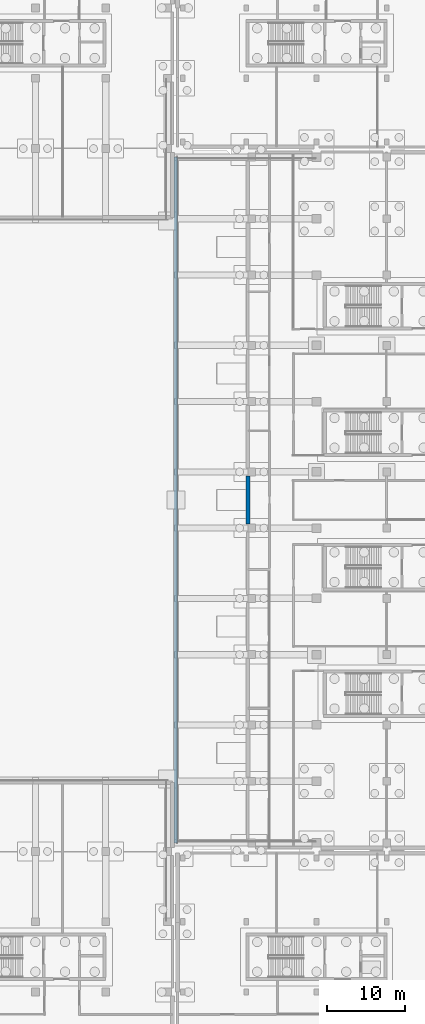
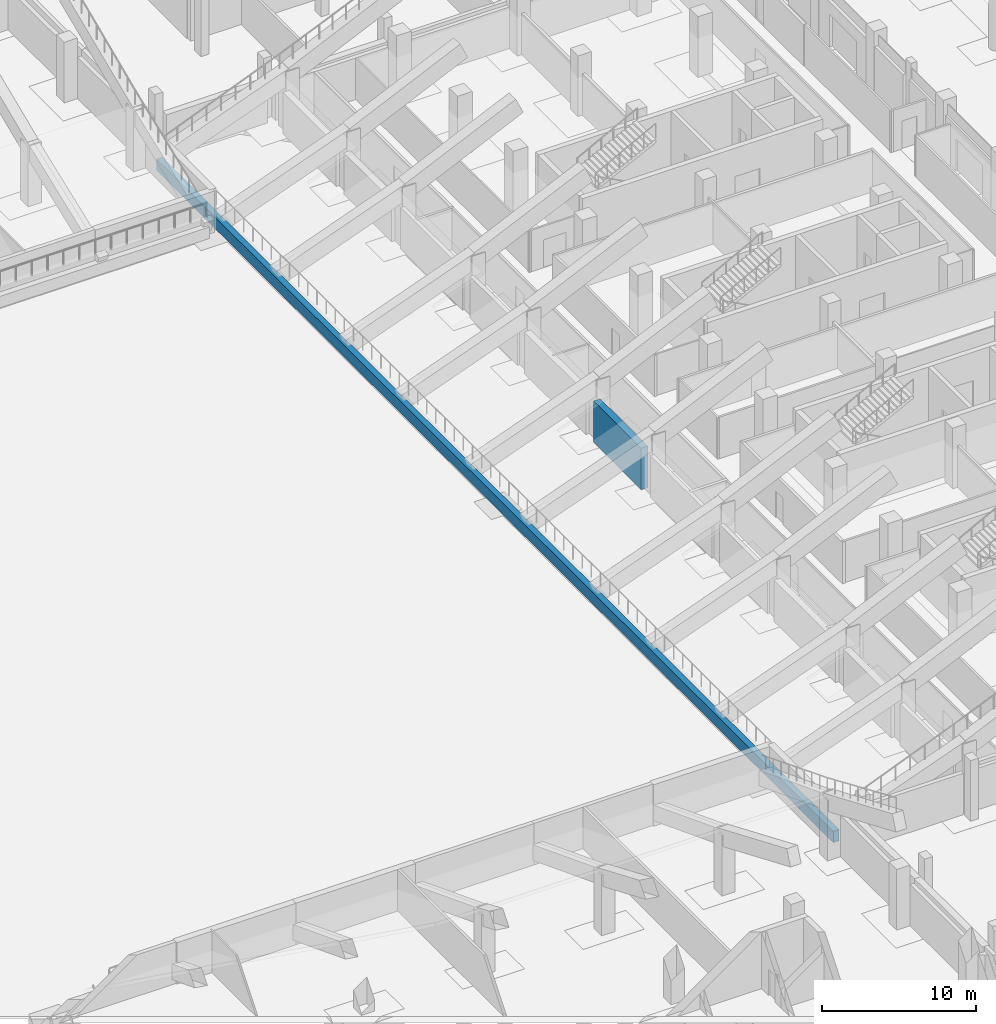
# One storey, part 28 of 53: 2 walls.
"""IFC4 building model written with IfcOpenShell, lengths in metres."""

from ifc_helpers import new_model, si_unit, direction, frame, frame_2d, origin, place, context, subcontext, project, spatial, rectangle, extrude, material, layer, layer_set, type_object, element, save


model = new_model("IFC4")

# Units and contexts
model_context = context("Model", 3, precision=1e-05, world=origin(), true_north=direction((0.0, 1.0)))
body_context = subcontext(model_context, "Body", "Model", "MODEL_VIEW")
ifc_project = project(units=[si_unit("LENGTHUNIT", "METRE"), si_unit("AREAUNIT", "SQUARE_METRE"), si_unit("VOLUMEUNIT", "CUBIC_METRE"), si_unit("PLANEANGLEUNIT", "RADIAN"), si_unit("MASSUNIT", "GRAM", prefix="KILO"), si_unit("THERMODYNAMICTEMPERATUREUNIT", "KELVIN"), si_unit("POWERUNIT", "WATT")], contexts=[model_context])

# Site, building, storey
site_placement = place(None, origin())
site = spatial("IfcSite", under=ifc_project, at=site_placement, CompositionType="ELEMENT")
building_placement = place(site_placement, origin())
building = spatial("IfcBuilding", under=site, at=building_placement, Name="Sindhuravela Promenade Stadium", CompositionType="ELEMENT")
storey_placement = place(building_placement, origin())
storey = spatial("IfcBuildingStorey", under=building, at=storey_placement, Name="L00", CompositionType="ELEMENT", Elevation=0.0)

# Walls
ifc_material_1 = material(Name="Dholpur sandstone ashlar (45 MPa)", Category="masonry")
ifc_layer_1 = layer(ifc_material_1, 0.5)
ifc_layer_set_1 = layer_set([ifc_layer_1], Name="Dholpur sandstone ashlar (45 MPa)")
wall_type_1 = type_object("IfcWallType", Name="EX-WL-SND500", PredefinedType="SOLIDWALL", material=ifc_layer_set_1)
wall_1_placement = place(storey_placement, frame((171.199951171875, 77.905029296875, 0.0), z_axis=(0.0, 0.0, 1.0), x_axis=(0.0, 1.0, 0.0)))
element("IfcWall", 1, at=wall_1_placement, inside=storey, type_object=wall_type_1, Name="Exterior masonry wall EW07 EAST L00", PredefinedType="SOLIDWALL", context=body_context, shape_type="SweptSolid", body=[
    extrude(rectangle(XDim=6.18994140625, YDim=0.5, at=frame_2d((3.094970703125, 0.0))), origin(), (0.0, 0.0, 1.0), 3.280029296875),
])
ifc_material_2 = material(Name="Concrete M50", Category="concrete")
ifc_layer_2 = layer(ifc_material_2, 0.43994140625)
ifc_layer_set_2 = layer_set([ifc_layer_2], Name="Concrete M50")
wall_type_2 = type_object("IfcWallType", Name="RC-WL-PLINTH440", PredefinedType="SOLIDWALL", material=ifc_layer_set_2)
wall_2_placement = place(storey_placement, frame((162.0, 124.89990234375, 0.0), z_axis=(0.0, 0.0, 1.0), x_axis=(0.0, -1.0, 0.0)))
element("IfcWall", 2, at=wall_2_placement, inside=storey, type_object=wall_type_2, Name="Bowl front plinth wall PW-EAST", PredefinedType="SOLIDWALL", context=body_context, shape_type="SweptSolid", body=[
    extrude(rectangle(XDim=87.7998046875, YDim=0.43994140625, at=frame_2d((43.89990234375, 0.0))), origin(), (0.0, 0.0, 1.0), 0.89990234375),
])

save(model, "model.ifc")
